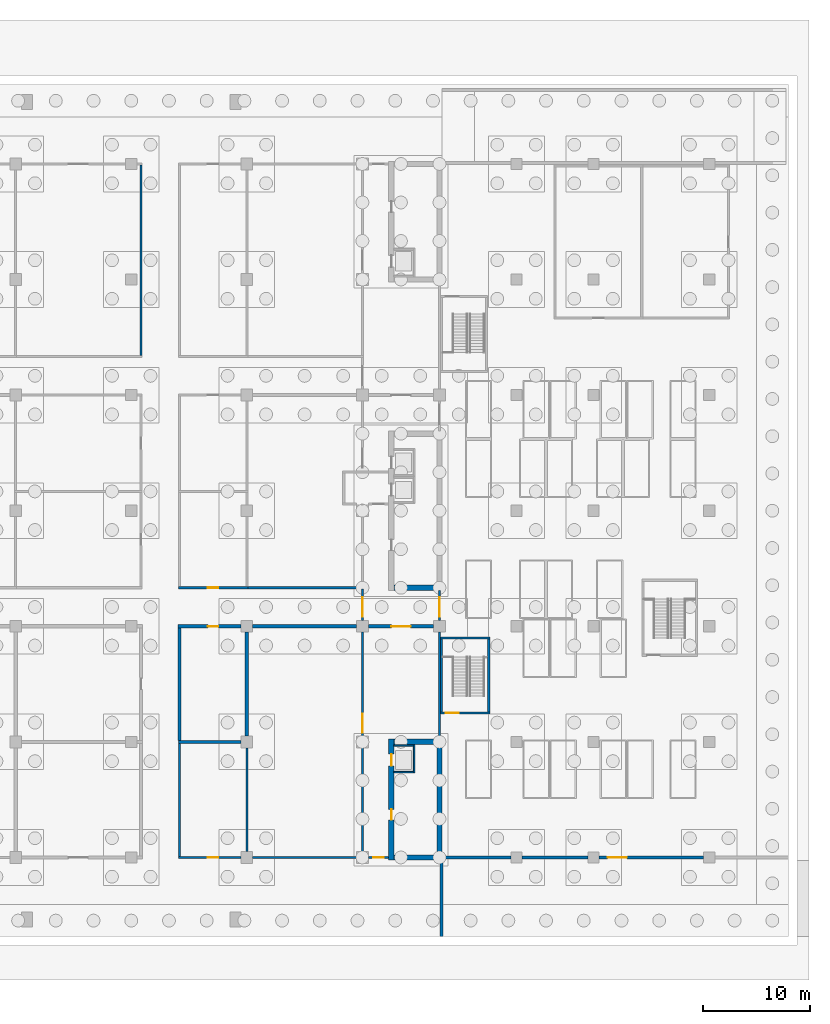
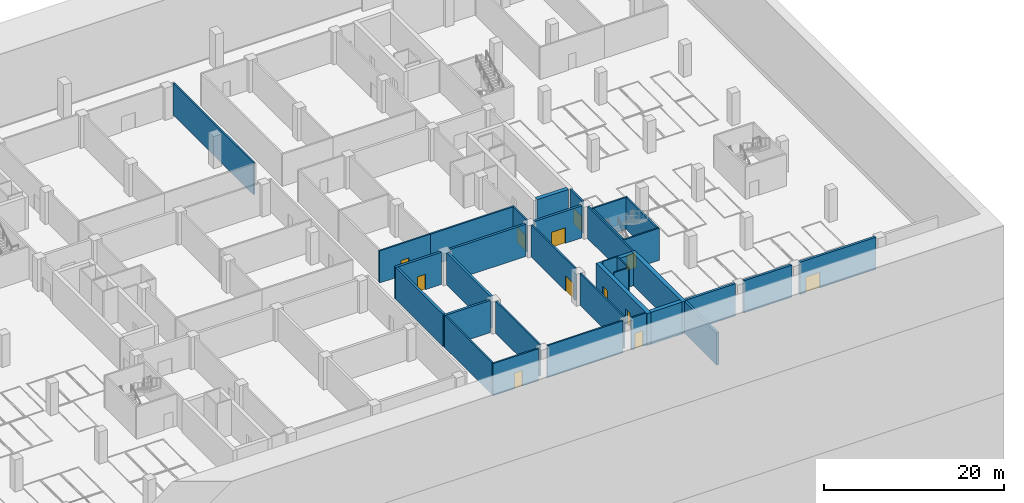
# One storey, part 7 of 18: 35 walls, 12 doors, 12 openings.
"""IFC4 building model written with IfcOpenShell, lengths in metres."""

from ifc_helpers import new_model, si_unit, direction, frame, frame_2d, origin, place, context, subcontext, project, spatial, rectangle, extrude, material, layer, layer_set, type_object, element, fill, save


model = new_model("IFC4")

# Units and contexts
model_context = context("Model", 3, precision=1e-05, world=origin(), true_north=direction((0.0, 1.0)))
body_context = subcontext(model_context, "Body", "Model", "MODEL_VIEW")
ifc_project = project(units=[si_unit("LENGTHUNIT", "METRE"), si_unit("AREAUNIT", "SQUARE_METRE"), si_unit("VOLUMEUNIT", "CUBIC_METRE"), si_unit("PLANEANGLEUNIT", "RADIAN"), si_unit("MASSUNIT", "GRAM", prefix="KILO")], contexts=[model_context])

# Site, building, storey
site_placement = place(None, origin())
site = spatial("IfcSite", under=ifc_project, at=site_placement, CompositionType="ELEMENT")
building_placement = place(site_placement, origin())
building = spatial("IfcBuilding", under=site, at=building_placement, Name="Basin Gate Institute", CompositionType="ELEMENT")
storey_placement = place(building_placement, frame((0.0, 0.0, -9.60009765625)))
storey = spatial("IfcBuildingStorey", under=building, at=storey_placement, Name="B2", CompositionType="ELEMENT", Elevation=-9.60009765625)

# Wall
ifc_material_1 = material(Name="Concrete 50 MPa", Category="concrete")
ifc_layer_1 = layer(ifc_material_1, 0.199951171875)
ifc_layer_set_1 = layer_set([ifc_layer_1], Name="Concrete 50 MPa")
wall_type_1 = type_object("IfcWallType", Name="Basement bearing wall W66 REI 180", PredefinedType="SOLIDWALL", material=ifc_layer_set_1)
wall_1_placement = place(storey_placement, frame((118.800048828125, 46.14990234375, 0.0), z_axis=(0.0, 0.0, 1.0), x_axis=(0.0, 1.0, 0.0)))
element("IfcWall", 1, at=wall_1_placement, inside=storey, type_object=wall_type_1, material=ifc_layer_set_1, Name="Service Corridor B2 East bearing wall", PredefinedType="SOLIDWALL", context=body_context, shape_type="SweptSolid", body=[
    extrude(rectangle(XDim=10.0, YDim=0.199951171875, at=frame_2d((5.0, 0.0))), origin(), (0.0, 0.0, 1.0), 4.35009765625),
])

# Wall, opening, door
wall_2_placement = place(storey_placement, frame((118.800048828125, 57.25, 0.0), z_axis=(0.0, 0.0, 1.0), x_axis=(0.0, 1.0, 0.0)))
wall_2 = element("IfcWall", 2, at=wall_2_placement, inside=storey, type_object=wall_type_1, material=ifc_layer_set_1, Name="Service Corridor B2 East bearing wall", PredefinedType="SOLIDWALL", context=body_context, shape_type="SweptSolid", body=[
    extrude(rectangle(XDim=2.800048828125, YDim=0.199951171875, at=frame_2d((1.39990234375, 0.0))), origin(), (0.0, 0.0, 1.0), 4.35009765625),
])
opening_1_placement = place(wall_2_placement, frame((0.35009765625, 0.0, 0.0)))
opening_1 = element("IfcOpeningElement", 3, at=opening_1_placement, cuts=wall_2, Name="Opening DB233", PredefinedType="OPENING", context=body_context, shape_type="SweptSolid", body=[
    extrude(rectangle(XDim=1.800048828125, YDim=2.10009765625, at=frame_2d((0.89990234375, 1.050048828125))), frame((0.0, 0.10986328125, 0.0), z_axis=(0.0, -1.0, 0.0), x_axis=(1.0, 0.0, 0.0)), (0.0, 0.0, 1.0), 0.219970703125),
])
ifc_material_2 = material(Name="Steel door set", Category="steel")
door_type_1 = type_object("IfcDoorType", Name="Double fire door FD120 1800x2100", OperationType="DOUBLE_DOOR_SINGLE_SWING", PredefinedType="DOOR", material=ifc_material_2)
door_1_placement = place(opening_1_placement, origin())
door_1 = element("IfcDoor", 4, at=door_1_placement, inside=storey, type_object=door_type_1, material=ifc_material_2, Name="Door DB233 Service Corridor B2 East", OperationType="DOUBLE_DOOR_SINGLE_SWING", OverallHeight=2.10009765625, OverallWidth=1.800048828125, PredefinedType="DOOR", context=body_context, shape_type="SweptSolid", body=[
    extrude(rectangle(XDim=1.800048828125, YDim=2.10009765625, at=frame_2d((0.89990234375, 1.050048828125))), frame((0.0, 0.02490234375, 0.0), z_axis=(0.0, -1.0, 0.0), x_axis=(1.0, 0.0, 0.0)), (0.0, 0.0, 1.0), 0.050048828125),
])
fill(opening_1, door_1)

ifc_material_3 = material(Name="Blockwork", Category="masonry")
ifc_layer_2 = layer(ifc_material_3, 0.199951171875)
ifc_layer_set_2 = layer_set([ifc_layer_2], Name="Basement fire partition EI 120")
wall_type_2 = type_object("IfcWallType", Name="Basement fire partition EI 120", PredefinedType="PARTITIONING", material=ifc_layer_set_2)
wall_3_placement = place(storey_placement, frame((94.39990234375, 35.10009765625, 0.0), z_axis=(0.0, 0.0, 1.0), x_axis=(1.0, 0.0, 0.0)))
wall_3 = element("IfcWall", 5, at=wall_3_placement, inside=storey, type_object=wall_type_2, material=ifc_layer_set_2, Name="Fire Pump Room fire-resisting wall", PredefinedType="PARTITIONING", context=body_context, shape_type="SweptSolid", body=[
    extrude(rectangle(XDim=5.85009765625, YDim=0.199951171875, at=frame_2d((2.925048828125, 0.0))), origin(), (0.0, 0.0, 1.0), 4.35009765625),
])
opening_2_placement = place(wall_3_placement, frame((2.75, 0.0, 0.0)))
opening_2 = element("IfcOpeningElement", 6, at=opening_2_placement, cuts=wall_3, Name="Opening DB202", PredefinedType="OPENING", context=body_context, shape_type="SweptSolid", body=[
    extrude(rectangle(XDim=1.0, YDim=2.10009765625, at=frame_2d((0.5, 1.050048828125))), frame((0.0, 0.10986328125, 0.0), z_axis=(0.0, -1.0, 0.0), x_axis=(1.0, 0.0, 0.0)), (0.0, 0.0, 1.0), 0.219970703125),
])
ifc_material_4 = material(Name="Steel door set", Category="steel")
door_type_2 = type_object("IfcDoorType", Name="Fire door FD120 1000x2100", OperationType="NOTDEFINED", PredefinedType="DOOR", material=ifc_material_4)
door_2_placement = place(opening_2_placement, frame((1.0, 0.0, 0.0), z_axis=(0.0, 0.0, 1.0), x_axis=(-1.0, 0.0, 0.0)))
door_2 = element("IfcDoor", 7, at=door_2_placement, inside=storey, type_object=door_type_2, material=ifc_material_4, Name="Door DB202 Fire Pump Room", OperationType="SINGLE_SWING_LEFT", OverallHeight=2.10009765625, OverallWidth=1.0, PredefinedType="DOOR", context=body_context, shape_type="SweptSolid", body=[
    extrude(rectangle(XDim=1.0, YDim=2.10009765625, at=frame_2d((0.5, 1.050048828125))), frame((0.0, 0.02490234375, 0.0), z_axis=(0.0, -1.0, 0.0), x_axis=(1.0, 0.0, 0.0)), (0.0, 0.0, 1.0), 0.050048828125),
])
fill(opening_2, door_2)

# Wall
wall_4_placement = place(storey_placement, frame((101.35009765625, 35.10009765625, 0.0), z_axis=(0.0, 0.0, 1.0), x_axis=(1.0, 0.0, 0.0)))
element("IfcWall", 8, at=wall_4_placement, inside=storey, type_object=wall_type_2, material=ifc_layer_set_2, Name="Vivarium Suite 1 fire-resisting wall", PredefinedType="PARTITIONING", context=body_context, shape_type="SweptSolid", body=[
    extrude(rectangle(XDim=9.699951171875, YDim=0.199951171875, at=frame_2d((4.85009765625, 0.0))), origin(), (0.0, 0.0, 1.0), 4.35009765625),
])

# Wall, opening, door
wall_5_placement = place(storey_placement, frame((94.39990234375, 60.300048828125, 0.0), z_axis=(0.0, 0.0, 1.0), x_axis=(1.0, 0.0, 0.0)))
wall_5 = element("IfcWall", 9, at=wall_5_placement, inside=storey, type_object=wall_type_2, material=ifc_layer_set_2, Name="Compressed Air Plant fire-resisting wall", PredefinedType="PARTITIONING", context=body_context, shape_type="SweptSolid", body=[
    extrude(rectangle(XDim=6.5, YDim=0.199951171875, at=frame_2d((3.25, 0.0))), origin(), (0.0, 0.0, 1.0), 4.35009765625),
])
opening_3_placement = place(wall_5_placement, frame((2.75, 0.0, 0.0)))
opening_3 = element("IfcOpeningElement", 10, at=opening_3_placement, cuts=wall_5, Name="Opening DB206", PredefinedType="OPENING", context=body_context, shape_type="SweptSolid", body=[
    extrude(rectangle(XDim=1.0, YDim=2.10009765625, at=frame_2d((0.5, 1.050048828125))), frame((0.0, 0.10986328125, 0.0), z_axis=(0.0, -1.0, 0.0), x_axis=(1.0, 0.0, 0.0)), (0.0, 0.0, 1.0), 0.219970703125),
])
door_3_placement = place(opening_3_placement, origin())
door_3 = element("IfcDoor", 11, at=door_3_placement, inside=storey, type_object=door_type_2, material=ifc_material_4, Name="Door DB206 Compressed Air Plant", OperationType="SINGLE_SWING_RIGHT", OverallHeight=2.10009765625, OverallWidth=1.0, PredefinedType="DOOR", context=body_context, shape_type="SweptSolid", body=[
    extrude(rectangle(XDim=1.0, YDim=2.10009765625, at=frame_2d((0.5, 1.050048828125))), frame((0.0, 0.02490234375, 0.0), z_axis=(0.0, -1.0, 0.0), x_axis=(1.0, 0.0, 0.0)), (0.0, 0.0, 1.0), 0.050048828125),
])
fill(opening_3, door_3)

# Walls
wall_6_placement = place(storey_placement, frame((100.89990234375, 60.300048828125, 0.0), z_axis=(0.0, 0.0, 1.0), x_axis=(1.0, 0.0, 0.0)))
element("IfcWall", 12, at=wall_6_placement, inside=storey, type_object=wall_type_2, material=ifc_layer_set_2, Name="Cryogenics Store fire-resisting wall", PredefinedType="PARTITIONING", context=body_context, shape_type="SweptSolid", body=[
    extrude(rectangle(XDim=10.800048828125, YDim=0.199951171875, at=frame_2d((5.39990234375, 0.0))), origin(), (0.0, 0.0, 1.0), 4.35009765625),
])
wall_7_placement = place(storey_placement, frame((90.89990234375, 82.0, 0.0), z_axis=(0.0, 0.0, 1.0), x_axis=(0.0, 1.0, 0.0)))
element("IfcWall", 13, at=wall_7_placement, inside=storey, type_object=wall_type_2, material=ifc_layer_set_2, Name="Pure Water Plant fire-resisting wall", PredefinedType="PARTITIONING", context=body_context, shape_type="SweptSolid", body=[
    extrude(rectangle(XDim=17.800048828125, YDim=0.199951171875, at=frame_2d((8.89990234375, 0.0))), origin(), (0.0, 0.0, 1.0), 4.35009765625),
])
wall_8_placement = place(storey_placement, frame((94.5, 35.199951171875, 0.0), z_axis=(0.0, 0.0, 1.0), x_axis=(0.0, 1.0, 0.0)))
element("IfcWall", 14, at=wall_8_placement, inside=storey, type_object=wall_type_2, material=ifc_layer_set_2, Name="Fire Pump Room fire-resisting wall", PredefinedType="PARTITIONING", context=body_context, shape_type="SweptSolid", body=[
    extrude(rectangle(XDim=10.550048828125, YDim=0.199951171875, at=frame_2d((5.27490234375, 0.0))), origin(), (0.0, 0.0, 1.0), 4.35009765625),
])
for number, where, z_axis, x_axis, name in (
    (15, (100.800048828125, 35.64990234375, 0.0), (0.0, 0.0, 1.0), (0.0, 1.0, 0.0), "Fire Pump Room fire-resisting wall"),
    (16, (111.60009765625, 35.64990234375, 0.0), (0.0, 0.0, 1.0), (0.0, 1.0, 0.0), "Vivarium Suite 1 fire-resisting wall"),
):
    element("IfcWall", number, at=place(storey_placement, frame(where, z_axis=z_axis, x_axis=x_axis)), inside=storey, type_object=wall_type_2, material=ifc_layer_set_2, Name=name, PredefinedType="PARTITIONING", context=body_context, shape_type="SweptSolid", body=[
        extrude(rectangle(XDim=9.7001953125, YDim=0.199951171875, at=frame_2d((4.85009765625, 0.0))), origin(), (0.0, 0.0, 1.0), 4.35009765625),
    ])

# Wall, opening, door
wall_9_placement = place(storey_placement, frame((111.60009765625, 46.449951171875, 0.0), z_axis=(0.0, 0.0, 1.0), x_axis=(0.0, 1.0, 0.0)))
wall_9 = element("IfcWall", 17, at=wall_9_placement, inside=storey, type_object=wall_type_2, material=ifc_layer_set_2, Name="Vivarium Suite 1 fire-resisting wall", PredefinedType="PARTITIONING", context=body_context, shape_type="SweptSolid", body=[
    extrude(rectangle(XDim=9.699951171875, YDim=0.199951171875, at=frame_2d((4.85009765625, 0.0))), origin(), (0.0, 0.0, 1.0), 4.35009765625),
])
opening_4_placement = place(wall_9_placement, frame((0.300048828125, 0.0, 0.0)))
opening_4 = element("IfcOpeningElement", 18, at=opening_4_placement, cuts=wall_9, Name="Opening DB217", PredefinedType="OPENING", context=body_context, shape_type="SweptSolid", body=[
    extrude(rectangle(XDim=1.800048828125, YDim=2.10009765625, at=frame_2d((0.89990234375, 1.050048828125))), frame((0.0, 0.10986328125, 0.0), z_axis=(0.0, -1.0, 0.0), x_axis=(1.0, 0.0, 0.0)), (0.0, 0.0, 1.0), 0.219970703125),
])
door_4_placement = place(opening_4_placement, origin())
door_4 = element("IfcDoor", 19, at=door_4_placement, inside=storey, type_object=door_type_1, material=ifc_material_2, Name="Door DB217 Vivarium Suite 1", OperationType="DOUBLE_DOOR_SINGLE_SWING", OverallHeight=2.10009765625, OverallWidth=1.800048828125, PredefinedType="DOOR", context=body_context, shape_type="SweptSolid", body=[
    extrude(rectangle(XDim=1.800048828125, YDim=2.10009765625, at=frame_2d((0.89990234375, 1.050048828125))), frame((0.0, 0.02490234375, 0.0), z_axis=(0.0, -1.0, 0.0), x_axis=(1.0, 0.0, 0.0)), (0.0, 0.0, 1.0), 0.050048828125),
])
fill(opening_4, door_4)

ifc_material_5 = material(Name="Blockwork", Category="masonry")
ifc_layer_3 = layer(ifc_material_5, 0.199951171875)
ifc_layer_set_3 = layer_set([ifc_layer_3], Name="Basement fire partition EI 60")
wall_type_3 = type_object("IfcWallType", Name="Basement fire partition EI 60", PredefinedType="PARTITIONING", material=ifc_layer_set_3)
wall_10_placement = place(storey_placement, frame((112.14990234375, 35.10009765625, 0.0), z_axis=(0.0, 0.0, 1.0), x_axis=(1.0, 0.0, 0.0)))
wall_10 = element("IfcWall", 20, at=wall_10_placement, inside=storey, type_object=wall_type_3, material=ifc_layer_set_3, Name="Service Corridor B2 East fire-resisting wall", PredefinedType="PARTITIONING", context=body_context, shape_type="SweptSolid", body=[
    extrude(rectangle(XDim=1.900146484375, YDim=0.199951171875, at=frame_2d((0.9501953125, 0.0))), origin(), (0.0, 0.0, 1.0), 4.35009765625),
])
opening_5_placement = place(wall_10_placement, frame((0.449951171875, 0.0, 0.0)))
opening_5 = element("IfcOpeningElement", 21, at=opening_5_placement, cuts=wall_10, Name="Opening DB229", PredefinedType="OPENING", context=body_context, shape_type="SweptSolid", body=[
    extrude(rectangle(XDim=1.0, YDim=2.10009765625, at=frame_2d((0.5, 1.050048828125))), frame((0.0, 0.10986328125, 0.0), z_axis=(0.0, -1.0, 0.0), x_axis=(1.0, 0.0, 0.0)), (0.0, 0.0, 1.0), 0.219970703125),
])
ifc_material_6 = material(Name="Steel door set", Category="steel")
door_type_3 = type_object("IfcDoorType", Name="Fire door FD60 1000x2100", OperationType="NOTDEFINED", PredefinedType="DOOR", material=ifc_material_6)
door_5_placement = place(opening_5_placement, frame((1.0, 0.0, 0.0), z_axis=(0.0, 0.0, 1.0), x_axis=(-1.0, 0.0, 0.0)))
door_5 = element("IfcDoor", 22, at=door_5_placement, inside=storey, type_object=door_type_3, material=ifc_material_6, Name="Door DB229 Service Corridor B2 East", OperationType="SINGLE_SWING_LEFT", OverallHeight=2.10009765625, OverallWidth=1.0, PredefinedType="DOOR", context=body_context, shape_type="SweptSolid", body=[
    extrude(rectangle(XDim=1.0, YDim=2.10009765625, at=frame_2d((0.5, 1.050048828125))), frame((0.0, 0.02490234375, 0.0), z_axis=(0.0, -1.0, 0.0), x_axis=(1.0, 0.0, 0.0)), (0.0, 0.0, 1.0), 0.050048828125),
])
fill(opening_5, door_5)

wall_11_placement = place(storey_placement, frame((111.60009765625, 57.25, 0.0), z_axis=(0.0, 0.0, 1.0), x_axis=(0.0, 1.0, 0.0)))
wall_11 = element("IfcWall", 23, at=wall_11_placement, inside=storey, type_object=wall_type_3, material=ifc_layer_set_3, Name="Service Corridor B2 East fire-resisting wall", PredefinedType="PARTITIONING", context=body_context, shape_type="SweptSolid", body=[
    extrude(rectangle(XDim=2.949951171875, YDim=0.199951171875, at=frame_2d((1.47509765625, 0.0))), origin(), (0.0, 0.0, 1.0), 4.35009765625),
])
opening_6_placement = place(wall_11_placement, frame((0.35009765625, 0.0, 0.0)))
opening_6 = element("IfcOpeningElement", 24, at=opening_6_placement, cuts=wall_11, Name="Opening DB231", PredefinedType="OPENING", context=body_context, shape_type="SweptSolid", body=[
    extrude(rectangle(XDim=1.800048828125, YDim=2.10009765625, at=frame_2d((0.89990234375, 1.050048828125))), frame((0.0, 0.10986328125, 0.0), z_axis=(0.0, -1.0, 0.0), x_axis=(1.0, 0.0, 0.0)), (0.0, 0.0, 1.0), 0.219970703125),
])
ifc_material_7 = material(Name="Steel door set", Category="steel")
door_type_4 = type_object("IfcDoorType", Name="Double fire door FD60 1800x2100", OperationType="DOUBLE_DOOR_SINGLE_SWING", PredefinedType="DOOR", material=ifc_material_7)
door_6_placement = place(opening_6_placement, frame((1.800048828125, 0.0, 0.0), z_axis=(0.0, 0.0, 1.0), x_axis=(-1.0, 0.0, 0.0)))
door_6 = element("IfcDoor", 25, at=door_6_placement, inside=storey, type_object=door_type_4, material=ifc_material_7, Name="Door DB231 Service Corridor B2 East", OperationType="DOUBLE_DOOR_SINGLE_SWING", OverallHeight=2.10009765625, OverallWidth=1.800048828125, PredefinedType="DOOR", context=body_context, shape_type="SweptSolid", body=[
    extrude(rectangle(XDim=1.800048828125, YDim=2.10009765625, at=frame_2d((0.89990234375, 1.050048828125))), frame((0.0, 0.02490234375, 0.0), z_axis=(0.0, -1.0, 0.0), x_axis=(1.0, 0.0, 0.0)), (0.0, 0.0, 1.0), 0.050048828125),
])
fill(opening_6, door_6)

ifc_material_8 = material(Name="Concrete 35 MPa", Category="concrete")
ifc_layer_4 = layer(ifc_material_8, 0.199951171875)
ifc_layer_set_4 = layer_set([ifc_layer_4], Name="Concrete 35 MPa")
wall_type_4 = type_object("IfcWallType", Name="Basement stair enclosure wall W67 REI 120", PredefinedType="SOLIDWALL", material=ifc_layer_set_4)
wall_12_placement = place(storey_placement, frame((118.89990234375, 48.60009765625, 0.0), z_axis=(0.0, 0.0, 1.0), x_axis=(1.0, 0.0, 0.0)))
wall_12 = element("IfcWall", 26, at=wall_12_placement, inside=storey, type_object=wall_type_4, material=ifc_layer_set_4, Name="Stair Enclosure BS3 B2 enclosure wall", PredefinedType="SOLIDWALL", context=body_context, shape_type="SweptSolid", body=[
    extrude(rectangle(XDim=4.60009765625, YDim=0.199951171875, at=frame_2d((2.300048828125, 0.0))), origin(), (0.0, 0.0, 1.0), 4.35009765625),
])
opening_7_placement = place(wall_12_placement, frame((0.5, 0.0, 0.0)))
opening_7 = element("IfcOpeningElement", 27, at=opening_7_placement, cuts=wall_12, Name="Opening DB244", PredefinedType="OPENING", context=body_context, shape_type="SweptSolid", body=[
    extrude(rectangle(XDim=1.199951171875, YDim=2.10009765625, at=frame_2d((0.60009765625, 1.050048828125))), frame((0.0, 0.10986328125, 0.0), z_axis=(0.0, -1.0, 0.0), x_axis=(1.0, 0.0, 0.0)), (0.0, 0.0, 1.0), 0.219970703125),
])
ifc_material_9 = material(Name="Steel door set", Category="steel")
door_type_5 = type_object("IfcDoorType", Name="Stair door FD120 1200x2100", OperationType="NOTDEFINED", PredefinedType="DOOR", material=ifc_material_9)
door_7_placement = place(opening_7_placement, origin())
door_7 = element("IfcDoor", 28, at=door_7_placement, inside=storey, type_object=door_type_5, material=ifc_material_9, Name="Door DB244 Stair Enclosure BS3 B2", OperationType="SINGLE_SWING_LEFT", OverallHeight=2.10009765625, OverallWidth=1.199951171875, PredefinedType="DOOR", context=body_context, shape_type="SweptSolid", body=[
    extrude(rectangle(XDim=1.199951171875, YDim=2.10009765625, at=frame_2d((0.60009765625, 1.050048828125))), frame((0.0, 0.02490234375, 0.0), z_axis=(0.0, -1.0, 0.0), x_axis=(1.0, 0.0, 0.0)), (0.0, 0.0, 1.0), 0.050048828125),
])
fill(opening_7, door_7)

# Walls
wall_13_placement = place(storey_placement, frame((118.89990234375, 55.60009765625, 0.0), z_axis=(0.0, 0.0, 1.0), x_axis=(1.0, 0.0, 0.0)))
element("IfcWall", 29, at=wall_13_placement, inside=storey, type_object=wall_type_4, material=ifc_layer_set_4, Name="Stair Enclosure BS3 B2 enclosure wall", PredefinedType="SOLIDWALL", context=body_context, shape_type="SweptSolid", body=[
    extrude(rectangle(XDim=4.60009765625, YDim=0.199951171875, at=frame_2d((2.300048828125, 0.0))), origin(), (0.0, 0.0, 1.0), 4.35009765625),
])
for number, where, z_axis, x_axis, name in (
    (30, (119.0, 48.699951171875, 0.0), (0.0, 0.0, 1.0), (0.0, 1.0, 0.0), "Stair Enclosure BS3 B2 enclosure wall"),
    (31, (123.39990234375, 48.699951171875, 0.0), (0.0, 0.0, 1.0), (0.0, 1.0, 0.0), "Stair Enclosure BS3 B2 enclosure wall"),
):
    element("IfcWall", number, at=place(storey_placement, frame(where, z_axis=z_axis, x_axis=x_axis)), inside=storey, type_object=wall_type_4, material=ifc_layer_set_4, Name=name, PredefinedType="SOLIDWALL", context=body_context, shape_type="SweptSolid", body=[
        extrude(rectangle(XDim=6.800048828125, YDim=0.199951171875, at=frame_2d((3.39990234375, 0.0))), origin(), (0.0, 0.0, 1.0), 4.35009765625),
    ])
ifc_material_10 = material(Name="Concrete 35 MPa", Category="concrete")
ifc_layer_5 = layer(ifc_material_10, 0.300048828125)
ifc_layer_set_5 = layer_set([ifc_layer_5], Name="Concrete 35 MPa")
wall_type_5 = type_object("IfcWallType", Name="Tank wall 300", PredefinedType="SOLIDWALL", material=ifc_layer_set_5)
wall_14_placement = place(storey_placement, frame((119.050048828125, 35.10009765625, 0.0), z_axis=(0.0, 0.0, 1.0), x_axis=(1.0, 0.0, 0.0)))
element("IfcWall", 32, at=wall_14_placement, inside=storey, type_object=wall_type_5, material=ifc_layer_set_5, Name="Rainwater Tank 2 fire-resisting wall", PredefinedType="SOLIDWALL", context=body_context, shape_type="SweptSolid", body=[
    extrude(rectangle(XDim=6.425048828125, YDim=0.300048828125, at=frame_2d((3.21240234375, 0.0))), origin(), (0.0, 0.0, 1.0), 4.35009765625),
])
wall_15_placement = place(storey_placement, frame((126.52490234375, 35.10009765625, 0.0), z_axis=(0.0, 0.0, 1.0), x_axis=(1.0, 0.0, 0.0)))
element("IfcWall", 33, at=wall_15_placement, inside=storey, type_object=wall_type_5, material=ifc_layer_set_5, Name="Rainwater Tank 2 fire-resisting wall", PredefinedType="SOLIDWALL", context=body_context, shape_type="SweptSolid", body=[
    extrude(rectangle(XDim=6.150146484375, YDim=0.300048828125, at=frame_2d((3.0751953125, 0.0))), origin(), (0.0, 0.0, 1.0), 4.35009765625),
])

# Wall, opening, door
wall_16_placement = place(storey_placement, frame((133.72509765625, 35.10009765625, 0.0), z_axis=(0.0, 0.0, 1.0), x_axis=(1.0, 0.0, 0.0)))
wall_16 = element("IfcWall", 34, at=wall_16_placement, inside=storey, type_object=wall_type_5, material=ifc_layer_set_5, Name="Rainwater Tank 2 fire-resisting wall", PredefinedType="SOLIDWALL", context=body_context, shape_type="SweptSolid", body=[
    extrude(rectangle(XDim=9.75, YDim=0.300048828125, at=frame_2d((4.875, 0.0))), origin(), (0.0, 0.0, 1.0), 4.35009765625),
])
opening_8_placement = place(wall_16_placement, frame((0.77490234375, 0.0, 0.0)))
opening_8 = element("IfcOpeningElement", 35, at=opening_8_placement, cuts=wall_16, Name="Opening DB211", PredefinedType="OPENING", context=body_context, shape_type="SweptSolid", body=[
    extrude(rectangle(XDim=1.800048828125, YDim=2.10009765625, at=frame_2d((0.89990234375, 1.050048828125))), frame((0.0, 0.16015625, 0.0), z_axis=(0.0, -1.0, 0.0), x_axis=(1.0, 0.0, 0.0)), (0.0, 0.0, 1.0), 0.320068359375),
])
door_8_placement = place(opening_8_placement, origin())
door_8 = element("IfcDoor", 36, at=door_8_placement, inside=storey, type_object=door_type_1, material=ifc_material_2, Name="Door DB211 Rainwater Tank 2", OperationType="DOUBLE_DOOR_SINGLE_SWING", OverallHeight=2.10009765625, OverallWidth=1.800048828125, PredefinedType="DOOR", context=body_context, shape_type="SweptSolid", body=[
    extrude(rectangle(XDim=1.800048828125, YDim=2.10009765625, at=frame_2d((0.89990234375, 1.050048828125))), frame((0.0, 0.02490234375, 0.0), z_axis=(0.0, -1.0, 0.0), x_axis=(1.0, 0.0, 0.0)), (0.0, 0.0, 1.0), 0.050048828125),
])
fill(opening_8, door_8)

# Wall
wall_17_placement = place(storey_placement, frame((94.39990234375, 45.89990234375, 0.0), z_axis=(0.0, 0.0, 1.0), x_axis=(1.0, 0.0, 0.0)))
element("IfcWall", 37, at=wall_17_placement, inside=storey, type_object=wall_type_5, material=ifc_layer_set_5, Name="Rainwater Tank 1 fire-resisting wall", PredefinedType="SOLIDWALL", context=body_context, shape_type="SweptSolid", body=[
    extrude(rectangle(XDim=5.85009765625, YDim=0.300048828125, at=frame_2d((2.925048828125, 0.0))), origin(), (0.0, 0.0, 1.0), 4.35009765625),
])

# Wall, opening, door
wall_18_placement = place(storey_placement, frame((94.35009765625, 56.699951171875, 0.0), z_axis=(0.0, 0.0, 1.0), x_axis=(1.0, 0.0, 0.0)))
wall_18 = element("IfcWall", 38, at=wall_18_placement, inside=storey, type_object=wall_type_5, material=ifc_layer_set_5, Name="Rainwater Tank 1 fire-resisting wall", PredefinedType="SOLIDWALL", context=body_context, shape_type="SweptSolid", body=[
    extrude(rectangle(XDim=5.89990234375, YDim=0.300048828125, at=frame_2d((2.949951171875, 0.0))), origin(), (0.0, 0.0, 1.0), 4.35009765625),
])
opening_9_placement = place(wall_18_placement, frame((2.800048828125, 0.0, 0.0)))
opening_9 = element("IfcOpeningElement", 39, at=opening_9_placement, cuts=wall_18, Name="Opening DB204", PredefinedType="OPENING", context=body_context, shape_type="SweptSolid", body=[
    extrude(rectangle(XDim=1.0, YDim=2.10009765625, at=frame_2d((0.5, 1.050048828125))), frame((0.0, 0.16015625, 0.0), z_axis=(0.0, -1.0, 0.0), x_axis=(1.0, 0.0, 0.0)), (0.0, 0.0, 1.0), 0.320068359375),
])
door_9_placement = place(opening_9_placement, frame((1.0, 0.0, 0.0), z_axis=(0.0, 0.0, 1.0), x_axis=(-1.0, 0.0, 0.0)))
door_9 = element("IfcDoor", 40, at=door_9_placement, inside=storey, type_object=door_type_2, material=ifc_material_4, Name="Door DB204 Rainwater Tank 1", OperationType="SINGLE_SWING_LEFT", OverallHeight=2.10009765625, OverallWidth=1.0, PredefinedType="DOOR", context=body_context, shape_type="SweptSolid", body=[
    extrude(rectangle(XDim=1.0, YDim=2.10009765625, at=frame_2d((0.5, 1.050048828125))), frame((0.0, 0.02490234375, 0.0), z_axis=(0.0, -1.0, 0.0), x_axis=(1.0, 0.0, 0.0)), (0.0, 0.0, 1.0), 0.050048828125),
])
fill(opening_9, door_9)

# Walls
wall_19_placement = place(storey_placement, frame((94.5, 46.050048828125, 0.0), z_axis=(0.0, 0.0, 1.0), x_axis=(0.0, 1.0, 0.0)))
element("IfcWall", 41, at=wall_19_placement, inside=storey, type_object=wall_type_5, material=ifc_layer_set_5, Name="Rainwater Tank 1 fire-resisting wall", PredefinedType="SOLIDWALL", context=body_context, shape_type="SweptSolid", body=[
    extrude(rectangle(XDim=10.5, YDim=0.300048828125, at=frame_2d((5.25, 0.0))), origin(), (0.0, 0.0, 1.0), 4.35009765625),
])
wall_20_placement = place(storey_placement, frame((100.800048828125, 46.449951171875, 0.0), z_axis=(0.0, 0.0, 1.0), x_axis=(0.0, 1.0, 0.0)))
element("IfcWall", 42, at=wall_20_placement, inside=storey, type_object=wall_type_5, material=ifc_layer_set_5, Name="Rainwater Tank 1 fire-resisting wall", PredefinedType="SOLIDWALL", context=body_context, shape_type="SweptSolid", body=[
    extrude(rectangle(XDim=9.699951171875, YDim=0.300048828125, at=frame_2d((4.85009765625, 0.0))), origin(), (0.0, 0.0, 1.0), 4.35009765625),
])
wall_21_placement = place(storey_placement, frame((119.0, 27.699951171875, 0.0), z_axis=(0.0, 0.0, 1.0), x_axis=(0.0, 1.0, 0.0)))
element("IfcWall", 43, at=wall_21_placement, inside=storey, type_object=wall_type_5, material=ifc_layer_set_5, Name="Rainwater Tank 2 fire-resisting wall", PredefinedType="SOLIDWALL", context=body_context, shape_type="SweptSolid", body=[
    extrude(rectangle(XDim=7.150146484375, YDim=0.300048828125, at=frame_2d((3.5751953125, 0.0))), origin(), (0.0, 0.0, 1.0), 4.35009765625),
])
ifc_material_11 = material(Name="Concrete 40 MPa", Category="concrete")
ifc_layer_6 = layer(ifc_material_11, 0.14990234375)
ifc_layer_set_6 = layer_set([ifc_layer_6], Name="Concrete 40 MPa")
wall_type_6 = type_object("IfcWallType", Name="Wall LS1 lift shaft enclosure R180", PredefinedType="SOLIDWALL", material=ifc_layer_set_6)
wall_22_placement = place(storey_placement, frame((116.425048828125, 43.0, 0.0), z_axis=(0.0, 0.0, 1.0), x_axis=(0.0, 1.0, 0.0)))
element("IfcWall", 44, at=wall_22_placement, inside=storey, type_object=wall_type_6, material=ifc_layer_set_6, Name="Lift shaft enclosure LP4 B2 UL", PredefinedType="SOLIDWALL", context=body_context, shape_type="SweptSolid", body=[
    extrude(rectangle(XDim=2.64990234375, YDim=0.14990234375, at=frame_2d((1.324951171875, 0.0))), origin(), (0.0, 0.0, 1.0), 4.800048828125),
])
for number, where, z_axis, x_axis, name in (
    (45, (116.35009765625, 43.074951171875, 0.0), (0.0, 0.0, 1.0), (-1.0, 0.0, 0.0), "Lift shaft enclosure LP4 B2 RL"),
    (46, (116.35009765625, 45.574951171875, 0.0), (0.0, 0.0, 1.0), (-1.0, 0.0, 0.0), "Lift shaft enclosure LP4 B2 RH"),
):
    element("IfcWall", number, at=place(storey_placement, frame(where, z_axis=z_axis, x_axis=x_axis)), inside=storey, type_object=wall_type_6, material=ifc_layer_set_6, Name=name, PredefinedType="SOLIDWALL", context=body_context, shape_type="SweptSolid", body=[
        extrude(rectangle(XDim=1.800048828125, YDim=0.14990234375, at=frame_2d((0.89990234375, 0.0))), origin(), (0.0, 0.0, 1.0), 4.800048828125),
    ])
ifc_material_12 = material(Name="Concrete 60 MPa", Category="concrete")
ifc_layer_7 = layer(ifc_material_12, 0.5)
ifc_layer_set_7 = layer_set([ifc_layer_7], Name="Concrete 60 MPa")
wall_type_7 = type_object("IfcWallType", Name="Wall SW1 R180", PredefinedType="SHEAR", material=ifc_layer_set_7)
wall_23_placement = place(storey_placement, frame((118.800048828125, 34.85009765625, 0.0), z_axis=(0.0, 0.0, 1.0), x_axis=(0.0, 1.0, 0.0)))
element("IfcWall", 47, at=wall_23_placement, inside=storey, type_object=wall_type_7, material=ifc_layer_set_7, Name="WALL/B2/ES/L", PredefinedType="SHEAR", context=body_context, shape_type="SweptSolid", body=[
    extrude(rectangle(XDim=11.2998046875, YDim=0.5, at=frame_2d((5.64990234375, 0.0))), origin(), (0.0, 0.0, 1.0), 4.35009765625),
])

# Wall, openings, doors
wall_24_placement = place(storey_placement, frame((114.300048828125, 34.85009765625, 0.0), z_axis=(0.0, 0.0, 1.0), x_axis=(0.0, 1.0, 0.0)))
wall_24 = element("IfcWall", 48, at=wall_24_placement, inside=storey, type_object=wall_type_7, material=ifc_layer_set_7, Name="WALL/B2/ES/C", PredefinedType="SHEAR", context=body_context, shape_type="SweptSolid", body=[
    extrude(rectangle(XDim=11.2998046875, YDim=0.5, at=frame_2d((5.64990234375, 0.0))), origin(), (0.0, 0.0, 1.0), 4.35009765625),
])
opening_10_placement = place(wall_24_placement, frame((8.800048828125, 0.0, 0.0)))
opening_10 = element("IfcOpeningElement", 49, at=opening_10_placement, cuts=wall_24, Name="Opening LD070", PredefinedType="OPENING", context=body_context, shape_type="SweptSolid", body=[
    extrude(rectangle(XDim=1.10009765625, YDim=2.10009765625, at=frame_2d((0.550048828125, 1.050048828125))), frame((0.0, 0.260009765625, 0.0), z_axis=(0.0, -1.0, 0.0), x_axis=(1.0, 0.0, 0.0)), (0.0, 0.0, 1.0), 0.52001953125),
])
opening_11_placement = place(wall_24_placement, frame((3.75, 0.0, 0.0)))
opening_11 = element("IfcOpeningElement", 50, at=opening_11_placement, cuts=wall_24, Name="Opening DB238", PredefinedType="OPENING", context=body_context, shape_type="SweptSolid", body=[
    extrude(rectangle(XDim=1.0, YDim=2.10009765625, at=frame_2d((0.5, 1.050048828125))), frame((0.0, 0.260009765625, 0.0), z_axis=(0.0, -1.0, 0.0), x_axis=(1.0, 0.0, 0.0)), (0.0, 0.0, 1.0), 0.52001953125),
])
ifc_material_13 = material(Name="Stainless steel", Category="steel")
door_type_6 = type_object("IfcDoorType", Name="FD60 Lift landing door LD", OperationType="SLIDING_TO_LEFT", PredefinedType="DOOR", material=ifc_material_13)
door_10_placement = place(opening_10_placement, origin())
door_10 = element("IfcDoor", 51, at=door_10_placement, inside=storey, type_object=door_type_6, material=ifc_material_13, Name="Lift landing door LP4 B2", OperationType="SLIDING_TO_LEFT", OverallHeight=2.10009765625, OverallWidth=1.10009765625, PredefinedType="DOOR", context=body_context, shape_type="SweptSolid", body=[
    extrude(rectangle(XDim=1.10009765625, YDim=2.10009765625, at=frame_2d((0.550048828125, 1.050048828125))), frame((0.0, 0.02490234375, 0.0), z_axis=(0.0, -1.0, 0.0), x_axis=(1.0, 0.0, 0.0)), (0.0, 0.0, 1.0), 0.050048828125),
])
fill(opening_10, door_10)
door_11_placement = place(opening_11_placement, frame((1.0, 0.0, 0.0), z_axis=(0.0, 0.0, 1.0), x_axis=(-1.0, 0.0, 0.0)))
door_11 = element("IfcDoor", 52, at=door_11_placement, inside=storey, type_object=door_type_3, material=ifc_material_6, Name="Door DB238 Mechanical Riser Room B2 ES", OperationType="SINGLE_SWING_RIGHT", OverallHeight=2.10009765625, OverallWidth=1.0, PredefinedType="DOOR", context=body_context, shape_type="SweptSolid", body=[
    extrude(rectangle(XDim=1.0, YDim=2.10009765625, at=frame_2d((0.5, 1.050048828125))), frame((0.0, 0.02490234375, 0.0), z_axis=(0.0, -1.0, 0.0), x_axis=(1.0, 0.0, 0.0)), (0.0, 0.0, 1.0), 0.050048828125),
])
fill(opening_11, door_11)

# Walls
for number, where, z_axis, x_axis, name in (
    (53, (118.550048828125, 35.10009765625, 0.0), (0.0, 0.0, 1.0), (-1.0, 0.0, 0.0), "WALL/B2/ES/S"),
    (54, (118.550048828125, 45.89990234375, 0.0), (0.0, 0.0, 1.0), (-1.0, 0.0, 0.0), "WALL/B2/ES/N"),
    (55, (118.550048828125, 60.300048828125, 0.0), (0.0, 0.0, 1.0), (-1.0, 0.0, 0.0), "WALL/B2/EM/S"),
):
    element("IfcWall", number, at=place(storey_placement, frame(where, z_axis=z_axis, x_axis=x_axis)), inside=storey, type_object=wall_type_7, material=ifc_layer_set_7, Name=name, PredefinedType="SHEAR", context=body_context, shape_type="SweptSolid", body=[
        extrude(rectangle(XDim=4.0, YDim=0.5, at=frame_2d((2.0, 0.0))), origin(), (0.0, 0.0, 1.0), 4.35009765625),
    ])

# Wall, opening, door
ifc_material_14 = material(Name="Concrete 50 MPa", Category="concrete")
ifc_layer_8 = layer(ifc_material_14, 0.300048828125)
ifc_layer_set_8 = layer_set([ifc_layer_8], Name="Concrete 50 MPa")
wall_type_8 = type_object("IfcWallType", Name="Wall XW1 R180", PredefinedType="SHEAR", material=ifc_layer_set_8)
wall_25_placement = place(storey_placement, frame((118.25, 56.699951171875, 0.0), z_axis=(0.0, 0.0, 1.0), x_axis=(-1.0, 0.0, 0.0)))
wall_25 = element("IfcWall", 56, at=wall_25_placement, inside=storey, type_object=wall_type_8, material=ifc_layer_set_8, Name="WALL/B2/EXC/1", PredefinedType="SHEAR", context=body_context, shape_type="SweptSolid", body=[
    extrude(rectangle(XDim=6.10009765625, YDim=0.300048828125, at=frame_2d((3.050048828125, 0.0))), origin(), (0.0, 0.0, 1.0), 4.35009765625),
])
opening_12_placement = place(wall_25_placement, frame((2.14990234375, 0.0, 0.0)))
opening_12 = element("IfcOpeningElement", 57, at=opening_12_placement, cuts=wall_25, Name="Opening DB250", PredefinedType="OPENING", context=body_context, shape_type="SweptSolid", body=[
    extrude(rectangle(XDim=1.800048828125, YDim=2.10009765625, at=frame_2d((0.89990234375, 1.050048828125))), frame((0.0, 0.16015625, 0.0), z_axis=(0.0, -1.0, 0.0), x_axis=(1.0, 0.0, 0.0)), (0.0, 0.0, 1.0), 0.320068359375),
])
door_12_placement = place(opening_12_placement, origin())
door_12 = element("IfcDoor", 58, at=door_12_placement, inside=storey, type_object=door_type_4, material=ifc_material_7, Name="Door DB250 Service Corridor B2 East compartment wall", OperationType="DOUBLE_DOOR_SINGLE_SWING", OverallHeight=2.10009765625, OverallWidth=1.800048828125, PredefinedType="DOOR", context=body_context, shape_type="SweptSolid", body=[
    extrude(rectangle(XDim=1.800048828125, YDim=2.10009765625, at=frame_2d((0.89990234375, 1.050048828125))), frame((0.0, 0.02490234375, 0.0), z_axis=(0.0, -1.0, 0.0), x_axis=(1.0, 0.0, 0.0)), (0.0, 0.0, 1.0), 0.050048828125),
])
fill(opening_12, door_12)

# Wall
wall_26_placement = place(storey_placement, frame((111.050048828125, 56.699951171875, 0.0), z_axis=(0.0, 0.0, 1.0), x_axis=(-1.0, 0.0, 0.0)))
element("IfcWall", 59, at=wall_26_placement, inside=storey, type_object=wall_type_8, material=ifc_layer_set_8, Name="WALL/B2/EXC/2", PredefinedType="SHEAR", context=body_context, shape_type="SweptSolid", body=[
    extrude(rectangle(XDim=9.699951171875, YDim=0.300048828125, at=frame_2d((4.85009765625, 0.0))), origin(), (0.0, 0.0, 1.0), 4.35009765625),
])

save(model, "model.ifc")
